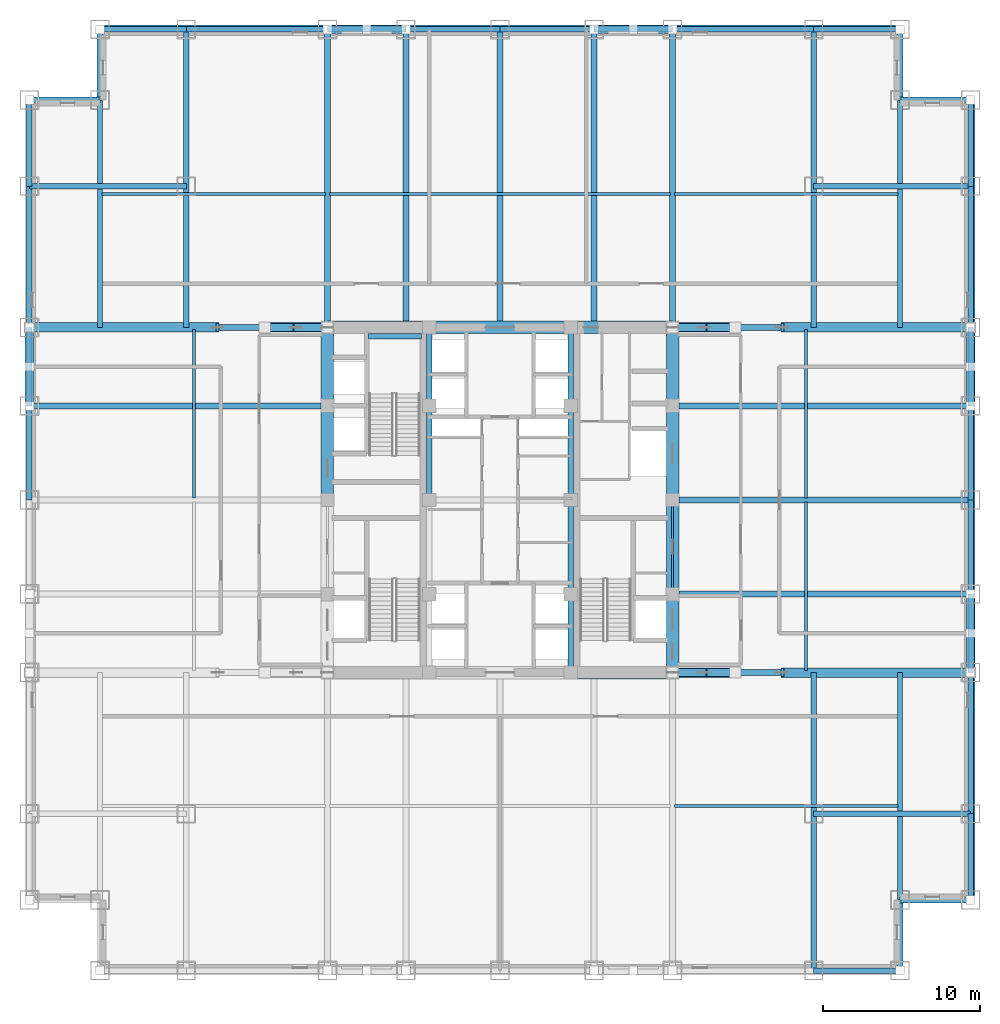
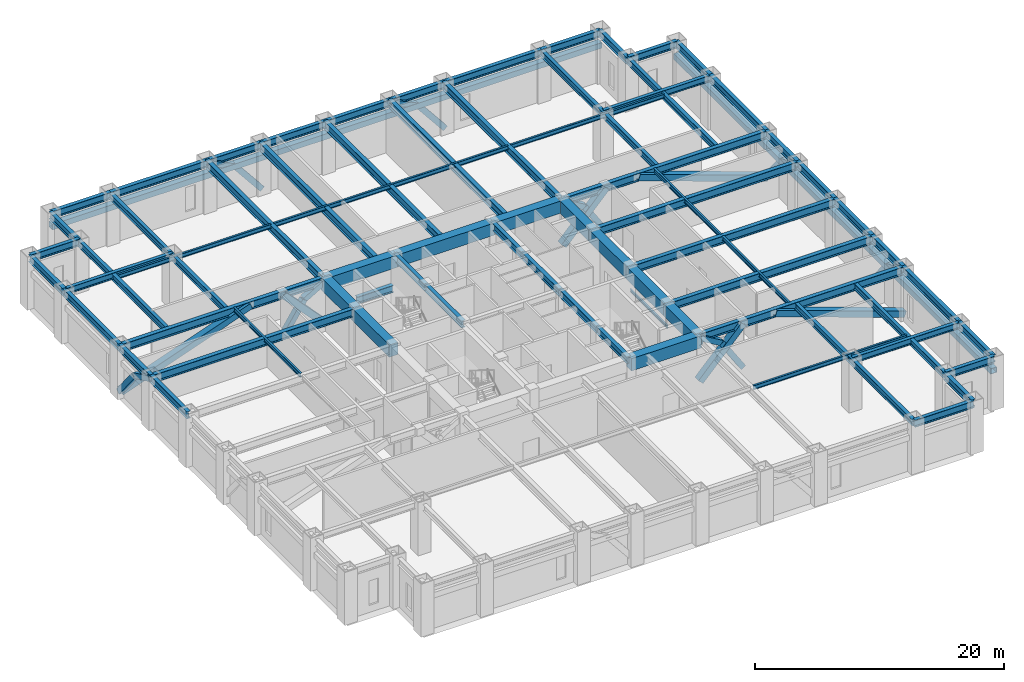
# One storey, part 2 of 12: 73 beams, 24 members.
"""IFC4 building model written with IfcOpenShell, lengths in metres."""

from ifc_helpers import new_model, si_unit, direction, frame, origin, origin_2d, place, context, subcontext, project, spatial, rectangle, hollow_rectangle, i_section, extrude, source, transform, mapped, material, material_profile, profile_set, type_object, element, save


model = new_model("IFC4")

# Units and contexts
model_context = context("Model", 3, precision=1e-05, world=origin(), true_north=direction((0.0, 1.0)))
body_context = subcontext(model_context, "Body", "Model", "MODEL_VIEW")
ifc_project = project(units=[si_unit("LENGTHUNIT", "METRE"), si_unit("AREAUNIT", "SQUARE_METRE"), si_unit("VOLUMEUNIT", "CUBIC_METRE"), si_unit("PLANEANGLEUNIT", "RADIAN"), si_unit("MASSUNIT", "GRAM", prefix="KILO")], contexts=[model_context])

# Site, building, storey
site_placement = place(None, origin())
site = spatial("IfcSite", under=ifc_project, at=site_placement, CompositionType="ELEMENT")
building_placement = place(site_placement, origin())
building = spatial("IfcBuilding", under=site, at=building_placement, Name="Khorayat Bourse Tower", CompositionType="ELEMENT")
storey_placement = place(building_placement, frame((0.0, 0.0, 149.89990234375)))
storey = spatial("IfcBuildingStorey", under=building, at=storey_placement, Name="L34", CompositionType="ELEMENT", Elevation=149.89990234375)

# Beams
ifc_material_1 = material(Name="Concrete C72/90", Category="concrete")
ifc_material_profile_1 = material_profile(ifc_material_1, rectangle(XDim=0.800048828125, YDim=1.199951171875, at=origin_2d()), Name="RC 800x1200")
ifc_profile_set_1 = profile_set([ifc_material_profile_1], Name="Concrete C72/90")
beam_type_1 = type_object("IfcBeamType", Name="BM-COUP-1200", PredefinedType="BEAM", material=ifc_profile_set_1)
shared_shape_1 = source(origin(), body_context, "Body", "SweptSolid", [
    extrude(rectangle(XDim=0.800048828125, YDim=1.199951171875, at=origin_2d()), origin(), (0.0, 0.0, 1.0), 5.0),
])
for number, where, z_axis, x_axis, name in (
    (1, (-11.0, 6.0, 4.380126953125), (0.0, 1.0, 0.0), (-1.0, 0.0, 0.0), "L34 BM-COUP-1200 BM-L34-CRX-04"),
    (2, (11.0, -11.0, 4.380126953125), (0.0, 1.0, 0.0), (-1.0, 0.0, 0.0), "L34 BM-COUP-1200 BM-L34-CRX-13"),
    (3, (11.0, 6.0, 4.380126953125), (0.0, 1.0, 0.0), (-1.0, 0.0, 0.0), "L34 BM-COUP-1200 BM-L34-CRX-16"),
):
    element("IfcBeam", number, at=place(storey_placement, frame(where, z_axis=z_axis, x_axis=x_axis)), inside=storey, type_object=beam_type_1, Name=name, PredefinedType="BEAM", context=body_context, shape_type="MappedRepresentation", body=[
        mapped(shared_shape_1, transform((0.0, 0.0, 0.0), scale=1.0)),
    ])
shared_shape_2 = source(origin(), body_context, "Body", "SweptSolid", [
    extrude(rectangle(XDim=0.800048828125, YDim=1.199951171875, at=origin_2d()), origin(), (0.0, 0.0, 1.0), 6.0),
])
for number, where, z_axis, x_axis, name in (
    (4, (-11.0, 0.0, 4.380126953125), (0.0, 1.0, 0.0), (-1.0, 0.0, 0.0), "L34 BM-COUP-1200 BM-L34-CRX-03"),
    (5, (11.0, -6.0, 4.380126953125), (0.0, 1.0, 0.0), (-1.0, 0.0, 0.0), "L34 BM-COUP-1200 BM-L34-CRX-14"),
    (6, (11.0, 0.0, 4.380126953125), (0.0, 1.0, 0.0), (-1.0, 0.0, 0.0), "L34 BM-COUP-1200 BM-L34-CRX-15"),
):
    element("IfcBeam", number, at=place(storey_placement, frame(where, z_axis=z_axis, x_axis=x_axis)), inside=storey, type_object=beam_type_1, Name=name, PredefinedType="BEAM", context=body_context, shape_type="MappedRepresentation", body=[
        mapped(shared_shape_2, transform((0.0, 0.0, 0.0), scale=1.0)),
    ])
ifc_material_2 = material(Name="Steel ASTM A992 Grade 50", Category="steel")
ifc_material_profile_2 = material_profile(ifc_material_2, i_section(OverallWidth=0.35498046875, OverallDepth=0.695068359375, WebThickness=0.015380859375, FlangeThickness=0.02490234375, FilletRadius=0.01806640625, at=origin_2d()), Name="W690X217")
ifc_profile_set_2 = profile_set([ifc_material_profile_2], Name="Steel ASTM A992 Grade 50")
beam_type_2 = type_object("IfcBeamType", Name="BM-GIRD-690", PredefinedType="BEAM", material=ifc_profile_set_2)
shared_shape_3 = source(origin(), body_context, "Body", "SweptSolid", [
    extrude(i_section(OverallWidth=0.35498046875, OverallDepth=0.695068359375, WebThickness=0.015380859375, FlangeThickness=0.02490234375, FilletRadius=0.01806640625, at=origin_2d()), origin(), (0.0, 0.0, 1.0), 5.0),
])
for number, where, z_axis, x_axis, name in (
    (7, (-4.5, 6.0, 4.632568359375), (0.0, 1.0, 0.0), (-1.0, 0.0, 0.0), "L34 BM-GIRD-690 BM-L34-CRX-08"),
    (8, (4.5, -11.0, 4.632568359375), (0.0, 1.0, 0.0), (-1.0, 0.0, 0.0), "L34 BM-GIRD-690 BM-L34-CRX-09"),
    (9, (4.5, 6.0, 4.632568359375), (0.0, 1.0, 0.0), (-1.0, 0.0, 0.0), "L34 BM-GIRD-690 BM-L34-CRX-12"),
):
    element("IfcBeam", number, at=place(storey_placement, frame(where, z_axis=z_axis, x_axis=x_axis)), inside=storey, type_object=beam_type_2, Name=name, PredefinedType="BEAM", context=body_context, shape_type="MappedRepresentation", body=[
        mapped(shared_shape_3, transform((0.0, 0.0, 0.0), scale=1.0)),
    ])
shared_shape_4 = source(origin(), body_context, "Body", "SweptSolid", [
    extrude(i_section(OverallWidth=0.35498046875, OverallDepth=0.695068359375, WebThickness=0.015380859375, FlangeThickness=0.02490234375, FilletRadius=0.01806640625, at=origin_2d()), origin(), (0.0, 0.0, 1.0), 6.0),
])
for number, where, z_axis, x_axis, name in (
    (10, (-4.5, 0.0, 4.632568359375), (0.0, 1.0, 0.0), (-1.0, 0.0, 0.0), "L34 BM-GIRD-690 BM-L34-CRX-07"),
    (11, (4.5, -6.0, 4.632568359375), (0.0, 1.0, 0.0), (-1.0, 0.0, 0.0), "L34 BM-GIRD-690 BM-L34-CRX-10"),
    (12, (4.5, 0.0, 4.632568359375), (0.0, 1.0, 0.0), (-1.0, 0.0, 0.0), "L34 BM-GIRD-690 BM-L34-CRX-11"),
):
    element("IfcBeam", number, at=place(storey_placement, frame(where, z_axis=z_axis, x_axis=x_axis)), inside=storey, type_object=beam_type_2, Name=name, PredefinedType="BEAM", context=body_context, shape_type="MappedRepresentation", body=[
        mapped(shared_shape_4, transform((0.0, 0.0, 0.0), scale=1.0)),
    ])
shared_shape_5 = source(origin(), body_context, "Body", "SweptSolid", [
    extrude(rectangle(XDim=0.800048828125, YDim=1.199951171875, at=origin_2d()), origin(), (0.0, 0.0, 1.0), 6.5),
])
for number, where, z_axis, x_axis, name in (
    (13, (4.5, -11.0, 4.380126953125), (1.0, 0.0, 0.0), (0.0, 1.0, 0.0), "L34 BM-COUP-1200 BM-L34-CRY-19"),
    (14, (-11.0, 11.0, 4.380126953125), (1.0, 0.0, 0.0), (0.0, 1.0, 0.0), "L34 BM-COUP-1200 BM-L34-CRY-20"),
    (15, (4.5, 11.0, 4.380126953125), (1.0, 0.0, 0.0), (0.0, 1.0, 0.0), "L34 BM-COUP-1200 BM-L34-CRY-22"),
):
    element("IfcBeam", number, at=place(storey_placement, frame(where, z_axis=z_axis, x_axis=x_axis)), inside=storey, type_object=beam_type_1, Name=name, PredefinedType="BEAM", context=body_context, shape_type="MappedRepresentation", body=[
        mapped(shared_shape_5, transform((0.0, 0.0, 0.0), scale=1.0)),
    ])
shared_shape_6 = source(origin(), body_context, "Body", "SweptSolid", [
    extrude(rectangle(XDim=0.800048828125, YDim=1.199951171875, at=origin_2d()), origin(), (0.0, 0.0, 1.0), 9.0),
])
beam_1_placement = place(storey_placement, frame((-4.5, 11.0, 4.380126953125), z_axis=(1.0, 0.0, 0.0), x_axis=(0.0, 1.0, 0.0)))
element("IfcBeam", 16, at=beam_1_placement, inside=storey, type_object=beam_type_1, Name="L34 BM-COUP-1200 BM-L34-CRY-21", PredefinedType="BEAM", context=body_context, shape_type="MappedRepresentation", body=[
    mapped(shared_shape_6, transform((0.0, 0.0, 0.0), scale=1.0)),
])
shared_shape_7 = source(origin(), body_context, "Body", "SweptSolid", [
    extrude(i_section(OverallWidth=0.35498046875, OverallDepth=0.695068359375, WebThickness=0.015380859375, FlangeThickness=0.02490234375, FilletRadius=0.01806640625, at=origin_2d()), origin(), (0.0, 0.0, 1.0), 3.39990234375),
])
beam_2_placement = place(storey_placement, frame((-8.419921875, 10.449951171875, 2.052490234375), z_axis=(1.0, 0.0, 0.0), x_axis=(0.0, 1.0, 0.0)))
element("IfcBeam", 17, at=beam_2_placement, inside=storey, type_object=beam_type_2, Name="L34 BM-GIRD-690 BM-L34-ST2L", PredefinedType="BEAM", context=body_context, shape_type="MappedRepresentation", body=[
    mapped(shared_shape_7, transform((0.0, 0.0, 0.0), scale=1.0)),
])
ifc_material_profile_3 = material_profile(ifc_material_2, i_section(OverallWidth=0.35498046875, OverallDepth=0.695068359375, WebThickness=0.015380859375, FlangeThickness=0.02490234375, FilletRadius=0.01806640625, at=origin_2d()), Name="W690X217")
ifc_profile_set_3 = profile_set([ifc_material_profile_3], Name="Steel ASTM A992 Grade 50")
beam_type_3 = type_object("IfcBeamType", Name="BM-SPAN-690", PredefinedType="SPANDREL", material=ifc_profile_set_3)
shared_shape_8 = source(origin(), body_context, "Body", "SweptSolid", [
    extrude(i_section(OverallWidth=0.35498046875, OverallDepth=0.695068359375, WebThickness=0.015380859375, FlangeThickness=0.02490234375, FilletRadius=0.01806640625, at=origin_2d()), origin(), (0.0, 0.0, 1.0), 9.0),
])
for number, where, z_axis, x_axis, name in (
    (18, (30.0, -20.0, 4.632568359375), (0.0, 1.0, 0.0), (-1.0, 0.0, 0.0), "L34 BM-SPAN-690 BM-L34-SPN-035"),
    (19, (30.0, 11.0, 4.632568359375), (0.0, 1.0, 0.0), (-1.0, 0.0, 0.0), "L34 BM-SPAN-690 BM-L34-SPN-040"),
    (20, (11.0, 30.0, 4.552490234375), (1.0, 0.0, 0.0), (0.0, 1.0, 0.0), "L34 BM-SPAN-690 BM-L34-SPN-045"),
    (21, (-20.0, 30.0, 4.552490234375), (1.0, 0.0, 0.0), (0.0, 1.0, 0.0), "L34 BM-SPAN-690 BM-L34-SPN-050"),
    (22, (-30.0, 11.0, 4.632568359375), (0.0, 1.0, 0.0), (-1.0, 0.0, 0.0), "L34 BM-SPAN-690 BM-L34-SPN-055"),
):
    element("IfcBeam", number, at=place(storey_placement, frame(where, z_axis=z_axis, x_axis=x_axis)), inside=storey, type_object=beam_type_3, Name=name, PredefinedType="SPANDREL", context=body_context, shape_type="MappedRepresentation", body=[
        mapped(shared_shape_8, transform((0.0, 0.0, 0.0), scale=1.0)),
    ])
shared_shape_9 = source(origin(), body_context, "Body", "SweptSolid", [
    extrude(i_section(OverallWidth=0.35498046875, OverallDepth=0.695068359375, WebThickness=0.015380859375, FlangeThickness=0.02490234375, FilletRadius=0.01806640625, at=origin_2d()), origin(), (0.0, 0.0, 1.0), 5.0),
])
for number, where, z_axis, x_axis, name in (
    (23, (30.0, -11.0, 4.632568359375), (0.0, 1.0, 0.0), (-1.0, 0.0, 0.0), "L34 BM-SPAN-690 BM-L34-SPN-036"),
    (24, (30.0, 6.0, 4.632568359375), (0.0, 1.0, 0.0), (-1.0, 0.0, 0.0), "L34 BM-SPAN-690 BM-L34-SPN-039"),
    (25, (6.0, 30.0, 4.552490234375), (1.0, 0.0, 0.0), (0.0, 1.0, 0.0), "L34 BM-SPAN-690 BM-L34-SPN-046"),
    (26, (-11.0, 30.0, 4.552490234375), (1.0, 0.0, 0.0), (0.0, 1.0, 0.0), "L34 BM-SPAN-690 BM-L34-SPN-049"),
    (27, (-30.0, 6.0, 4.632568359375), (0.0, 1.0, 0.0), (-1.0, 0.0, 0.0), "L34 BM-SPAN-690 BM-L34-SPN-056"),
):
    element("IfcBeam", number, at=place(storey_placement, frame(where, z_axis=z_axis, x_axis=x_axis)), inside=storey, type_object=beam_type_3, Name=name, PredefinedType="SPANDREL", context=body_context, shape_type="MappedRepresentation", body=[
        mapped(shared_shape_9, transform((0.0, 0.0, 0.0), scale=1.0)),
    ])
shared_shape_10 = source(origin(), body_context, "Body", "SweptSolid", [
    extrude(i_section(OverallWidth=0.35498046875, OverallDepth=0.695068359375, WebThickness=0.015380859375, FlangeThickness=0.02490234375, FilletRadius=0.01806640625, at=origin_2d()), origin(), (0.0, 0.0, 1.0), 6.0),
])
for number, where, z_axis, x_axis, name in (
    (28, (30.0, -6.0, 4.632568359375), (0.0, 1.0, 0.0), (-1.0, 0.0, 0.0), "L34 BM-SPAN-690 BM-L34-SPN-037"),
    (29, (30.0, 0.0, 4.632568359375), (0.0, 1.0, 0.0), (-1.0, 0.0, 0.0), "L34 BM-SPAN-690 BM-L34-SPN-038"),
    (30, (0.0, 30.0, 4.552490234375), (1.0, 0.0, 0.0), (0.0, 1.0, 0.0), "L34 BM-SPAN-690 BM-L34-SPN-047"),
    (31, (-6.0, 30.0, 4.552490234375), (1.0, 0.0, 0.0), (0.0, 1.0, 0.0), "L34 BM-SPAN-690 BM-L34-SPN-048"),
    (32, (-30.0, 0.0, 4.632568359375), (0.0, 1.0, 0.0), (-1.0, 0.0, 0.0), "L34 BM-SPAN-690 BM-L34-SPN-057"),
):
    element("IfcBeam", number, at=place(storey_placement, frame(where, z_axis=z_axis, x_axis=x_axis)), inside=storey, type_object=beam_type_3, Name=name, PredefinedType="SPANDREL", context=body_context, shape_type="MappedRepresentation", body=[
        mapped(shared_shape_10, transform((0.0, 0.0, 0.0), scale=1.0)),
    ])
ifc_material_profile_4 = material_profile(ifc_material_2, i_section(OverallWidth=0.14697265625, OverallDepth=0.261962890625, WebThickness=0.006591796875, FlangeThickness=0.01123046875, FilletRadius=0.008056640625, at=origin_2d()), Name="W250X39")
ifc_profile_set_4 = profile_set([ifc_material_profile_4], Name="Steel ASTM A992 Grade 50")
beam_type_4 = type_object("IfcBeamType", Name="BM-LINTEL-250", PredefinedType="LINTEL", material=ifc_profile_set_4)
shared_shape_11 = source(origin(), body_context, "Body", "SweptSolid", [
    extrude(i_section(OverallWidth=0.14697265625, OverallDepth=0.261962890625, WebThickness=0.006591796875, FlangeThickness=0.01123046875, FilletRadius=0.008056640625, at=origin_2d()), origin(), (0.0, 0.0, 1.0), 6.0),
])
beam_3_placement = place(storey_placement, frame((11.0, -6.0, 2.550048828125), z_axis=(0.0, 1.0, 0.0), x_axis=(-1.0, 0.0, 0.0)))
element("IfcBeam", 33, at=beam_3_placement, inside=storey, type_object=beam_type_4, Name="L34 Core Opening Lintel 02", PredefinedType="LINTEL", context=body_context, shape_type="MappedRepresentation", body=[
    mapped(shared_shape_11, transform((0.0, 0.0, 0.0), scale=1.0)),
])
shared_shape_12 = source(origin(), body_context, "Body", "SweptSolid", [
    extrude(i_section(OverallWidth=0.35498046875, OverallDepth=0.695068359375, WebThickness=0.015380859375, FlangeThickness=0.02490234375, FilletRadius=0.01806640625, at=origin_2d()), origin(), (0.0, 0.0, 1.0), 5.5),
])
for number, where, z_axis, x_axis, name in (
    (34, (20.0, -30.0, 4.552490234375), (1.0, 0.0, 0.0), (0.0, 1.0, 0.0), "L34 BM-SPAN-690 BM-L34-SPN-031"),
    (35, (30.0, -25.5, 4.632568359375), (0.0, 1.0, 0.0), (-1.0, 0.0, 0.0), "L34 BM-SPAN-690 BM-L34-SPN-034"),
    (36, (30.0, 20.0, 4.632568359375), (0.0, 1.0, 0.0), (-1.0, 0.0, 0.0), "L34 BM-SPAN-690 BM-L34-SPN-041"),
    (37, (20.0, 30.0, 4.552490234375), (1.0, 0.0, 0.0), (0.0, 1.0, 0.0), "L34 BM-SPAN-690 BM-L34-SPN-044"),
    (38, (-25.5, 30.0, 4.552490234375), (1.0, 0.0, 0.0), (0.0, 1.0, 0.0), "L34 BM-SPAN-690 BM-L34-SPN-051"),
    (39, (-30.0, 20.0, 4.632568359375), (0.0, 1.0, 0.0), (-1.0, 0.0, 0.0), "L34 BM-SPAN-690 BM-L34-SPN-054"),
):
    element("IfcBeam", number, at=place(storey_placement, frame(where, z_axis=z_axis, x_axis=x_axis)), inside=storey, type_object=beam_type_3, Name=name, PredefinedType="SPANDREL", context=body_context, shape_type="MappedRepresentation", body=[
        mapped(shared_shape_12, transform((0.0, 0.0, 0.0), scale=1.0)),
    ])
shared_shape_13 = source(origin(), body_context, "Body", "SweptSolid", [
    extrude(i_section(OverallWidth=0.35498046875, OverallDepth=0.695068359375, WebThickness=0.015380859375, FlangeThickness=0.02490234375, FilletRadius=0.01806640625, at=origin_2d()), origin(), (0.0, 0.0, 1.0), 4.5),
])
for number, where, z_axis, x_axis, name in (
    (40, (25.5, -30.0, 4.552490234375), (0.0, 1.0, 0.0), (-1.0, 0.0, 0.0), "L34 BM-SPAN-690 BM-L34-SPN-032"),
    (41, (25.5, -25.5, 4.632568359375), (1.0, 0.0, 0.0), (0.0, 1.0, 0.0), "L34 BM-SPAN-690 BM-L34-SPN-033"),
    (42, (25.5, 25.5, 4.632568359375), (1.0, 0.0, 0.0), (0.0, 1.0, 0.0), "L34 BM-SPAN-690 BM-L34-SPN-042"),
    (43, (25.5, 25.5, 4.552490234375), (0.0, 1.0, 0.0), (-1.0, 0.0, 0.0), "L34 BM-SPAN-690 BM-L34-SPN-043"),
    (44, (-25.5, 25.5, 4.552490234375), (0.0, 1.0, 0.0), (-1.0, 0.0, 0.0), "L34 BM-SPAN-690 BM-L34-SPN-052"),
    (45, (-30.0, 25.5, 4.632568359375), (1.0, 0.0, 0.0), (0.0, 1.0, 0.0), "L34 BM-SPAN-690 BM-L34-SPN-053"),
):
    element("IfcBeam", number, at=place(storey_placement, frame(where, z_axis=z_axis, x_axis=x_axis)), inside=storey, type_object=beam_type_3, Name=name, PredefinedType="SPANDREL", context=body_context, shape_type="MappedRepresentation", body=[
        mapped(shared_shape_13, transform((0.0, 0.0, 0.0), scale=1.0)),
    ])
ifc_material_profile_5 = material_profile(ifc_material_2, i_section(OverallWidth=0.381103515625, OverallDepth=0.77294921875, WebThickness=0.0166015625, FlangeThickness=0.027587890625, FilletRadius=0.01806640625, at=origin_2d()), Name="W760X257")
ifc_profile_set_5 = profile_set([ifc_material_profile_5], Name="Steel ASTM A992 Grade 50")
beam_type_5 = type_object("IfcBeamType", Name="BM-GIRD-760", PredefinedType="BEAM", material=ifc_profile_set_5)
shared_shape_14 = source(origin(), body_context, "Body", "SweptSolid", [
    extrude(i_section(OverallWidth=0.381103515625, OverallDepth=0.77294921875, WebThickness=0.0166015625, FlangeThickness=0.027587890625, FilletRadius=0.01806640625, at=origin_2d()), origin(), (0.0, 0.0, 1.0), 19.0),
])
for number, where, z_axis, x_axis, name in (
    (46, (-11.0, 11.0, 4.513671875), (0.0, 1.0, 0.0), (-1.0, 0.0, 0.0), "L34 BM-GIRD-760 BM-L34-RADY-064"),
    (47, (-6.0, 11.0, 4.513671875), (0.0, 1.0, 0.0), (-1.0, 0.0, 0.0), "L34 BM-GIRD-760 BM-L34-RADY-066"),
    (48, (0.0, 11.0, 4.513671875), (0.0, 1.0, 0.0), (-1.0, 0.0, 0.0), "L34 BM-GIRD-760 BM-L34-RADY-068"),
    (49, (6.0, 11.0, 4.513671875), (0.0, 1.0, 0.0), (-1.0, 0.0, 0.0), "L34 BM-GIRD-760 BM-L34-RADY-070"),
    (50, (11.0, 11.0, 4.513671875), (0.0, 1.0, 0.0), (-1.0, 0.0, 0.0), "L34 BM-GIRD-760 BM-L34-RADY-072"),
    (51, (11.0, -11.0, 4.593505859375), (1.0, 0.0, 0.0), (0.0, 1.0, 0.0), "L34 BM-GIRD-760 BM-L34-RADX-074"),
    (52, (11.0, -6.0, 4.593505859375), (1.0, 0.0, 0.0), (0.0, 1.0, 0.0), "L34 BM-GIRD-760 BM-L34-RADX-076"),
    (53, (11.0, 0.0, 4.593505859375), (1.0, 0.0, 0.0), (0.0, 1.0, 0.0), "L34 BM-GIRD-760 BM-L34-RADX-078"),
    (54, (11.0, 6.0, 4.593505859375), (1.0, 0.0, 0.0), (0.0, 1.0, 0.0), "L34 BM-GIRD-760 BM-L34-RADX-080"),
    (55, (-30.0, 6.0, 4.593505859375), (1.0, 0.0, 0.0), (0.0, 1.0, 0.0), "L34 BM-GIRD-760 BM-L34-RADX-081"),
    (56, (11.0, 11.0, 4.593505859375), (1.0, 0.0, 0.0), (0.0, 1.0, 0.0), "L34 BM-GIRD-760 BM-L34-RADX-082"),
    (57, (-30.0, 11.0, 4.593505859375), (1.0, 0.0, 0.0), (0.0, 1.0, 0.0), "L34 BM-GIRD-760 BM-L34-RADX-083"),
):
    element("IfcBeam", number, at=place(storey_placement, frame(where, z_axis=z_axis, x_axis=x_axis)), inside=storey, type_object=beam_type_5, Name=name, PredefinedType="BEAM", context=body_context, shape_type="MappedRepresentation", body=[
        mapped(shared_shape_14, transform((0.0, 0.0, 0.0), scale=1.0)),
    ])
ifc_material_profile_6 = material_profile(ifc_material_2, i_section(OverallWidth=0.324951171875, OverallDepth=0.615966796875, WebThickness=0.013916015625, FlangeThickness=0.021484375, FilletRadius=0.01611328125, at=origin_2d()), Name="W610X174")
ifc_profile_set_6 = profile_set([ifc_material_profile_6], Name="Steel ASTM A992 Grade 50")
beam_type_6 = type_object("IfcBeamType", Name="BM-GIRD-610", PredefinedType="BEAM", material=ifc_profile_set_6)
shared_shape_15 = source(origin(), body_context, "Body", "SweptSolid", [
    extrude(i_section(OverallWidth=0.324951171875, OverallDepth=0.615966796875, WebThickness=0.013916015625, FlangeThickness=0.021484375, FilletRadius=0.01611328125, at=origin_2d()), origin(), (0.0, 0.0, 1.0), 19.0),
])
for number, where, z_axis, x_axis, name in (
    (58, (-20.0, 11.0, 4.592041015625), (0.0, 1.0, 0.0), (-1.0, 0.0, 0.0), "L34 BM-GIRD-610 BM-L34-CNRY-085"),
    (59, (20.0, -30.0, 4.592041015625), (0.0, 1.0, 0.0), (-1.0, 0.0, 0.0), "L34 BM-GIRD-610 BM-L34-CNRY-086"),
    (60, (20.0, 11.0, 4.592041015625), (0.0, 1.0, 0.0), (-1.0, 0.0, 0.0), "L34 BM-GIRD-610 BM-L34-CNRY-087"),
):
    element("IfcBeam", number, at=place(storey_placement, frame(where, z_axis=z_axis, x_axis=x_axis)), inside=storey, type_object=beam_type_6, Name=name, PredefinedType="BEAM", context=body_context, shape_type="MappedRepresentation", body=[
        mapped(shared_shape_15, transform((0.0, 0.0, 0.0), scale=1.0)),
    ])
shared_shape_16 = source(origin(), body_context, "Body", "SweptSolid", [
    extrude(i_section(OverallWidth=0.324951171875, OverallDepth=0.615966796875, WebThickness=0.013916015625, FlangeThickness=0.021484375, FilletRadius=0.01611328125, at=origin_2d()), origin(), (0.0, 0.0, 1.0), 14.5),
])
for number, where, z_axis, x_axis, name in (
    (61, (-25.5, 11.0, 4.592041015625), (0.0, 1.0, 0.0), (-1.0, 0.0, 0.0), "L34 BM-GIRD-610 BM-L34-CNRY-089"),
    (62, (25.5, -25.5, 4.592041015625), (0.0, 1.0, 0.0), (-1.0, 0.0, 0.0), "L34 BM-GIRD-610 BM-L34-CNRY-090"),
    (63, (25.5, 11.0, 4.592041015625), (0.0, 1.0, 0.0), (-1.0, 0.0, 0.0), "L34 BM-GIRD-610 BM-L34-CNRY-091"),
):
    element("IfcBeam", number, at=place(storey_placement, frame(where, z_axis=z_axis, x_axis=x_axis)), inside=storey, type_object=beam_type_6, Name=name, PredefinedType="BEAM", context=body_context, shape_type="MappedRepresentation", body=[
        mapped(shared_shape_16, transform((0.0, 0.0, 0.0), scale=1.0)),
    ])
shared_shape_17 = source(origin(), body_context, "Body", "SweptSolid", [
    extrude(i_section(OverallWidth=0.324951171875, OverallDepth=0.615966796875, WebThickness=0.013916015625, FlangeThickness=0.021484375, FilletRadius=0.01611328125, at=origin_2d()), origin(), (0.0, 0.0, 1.0), 10.0),
])
for number, where, z_axis, x_axis, name in (
    (64, (20.0, -20.0, 4.672119140625), (1.0, 0.0, 0.0), (0.0, 1.0, 0.0), "L34 BM-GIRD-610 BM-L34-CNRX-092"),
    (65, (20.0, 20.0, 4.672119140625), (1.0, 0.0, 0.0), (0.0, 1.0, 0.0), "L34 BM-GIRD-610 BM-L34-CNRX-094"),
    (66, (-30.0, 20.0, 4.672119140625), (1.0, 0.0, 0.0), (0.0, 1.0, 0.0), "L34 BM-GIRD-610 BM-L34-CNRX-095"),
):
    element("IfcBeam", number, at=place(storey_placement, frame(where, z_axis=z_axis, x_axis=x_axis)), inside=storey, type_object=beam_type_6, Name=name, PredefinedType="BEAM", context=body_context, shape_type="MappedRepresentation", body=[
        mapped(shared_shape_17, transform((0.0, 0.0, 0.0), scale=1.0)),
    ])
ifc_material_profile_7 = material_profile(ifc_material_2, i_section(OverallWidth=0.180908203125, OverallDepth=0.4169921875, WebThickness=0.010986328125, FlangeThickness=0.018310546875, FilletRadius=0.011962890625, at=origin_2d()), Name="W410X85")
ifc_profile_set_7 = profile_set([ifc_material_profile_7], Name="Steel ASTM A992 Grade 50")
beam_type_7 = type_object("IfcBeamType", Name="BM-JOIST-410", PredefinedType="JOIST", material=ifc_profile_set_7)
shared_shape_18 = source(origin(), body_context, "Body", "SweptSolid", [
    extrude(i_section(OverallWidth=0.180908203125, OverallDepth=0.4169921875, WebThickness=0.010986328125, FlangeThickness=0.018310546875, FilletRadius=0.011962890625, at=origin_2d()), origin(), (0.0, 0.0, 1.0), 14.240234375),
])
for number, where, z_axis, x_axis, name in (
    (67, (11.1298828125, -19.5, 4.771484375), (1.0, 0.0, 0.0), (0.0, 1.0, 0.0), "L34 BM-JOIST-410 BM-L34-JSTX-098"),
    (68, (-25.3701171875, 19.5, 4.771484375), (1.0, 0.0, 0.0), (0.0, 1.0, 0.0), "L34 BM-JOIST-410 BM-L34-JSTX-099"),
    (69, (11.1298828125, 19.5, 4.771484375), (1.0, 0.0, 0.0), (0.0, 1.0, 0.0), "L34 BM-JOIST-410 BM-L34-JSTX-101"),
):
    element("IfcBeam", number, at=place(storey_placement, frame(where, z_axis=z_axis, x_axis=x_axis)), inside=storey, type_object=beam_type_7, Name=name, PredefinedType="JOIST", context=body_context, shape_type="MappedRepresentation", body=[
        mapped(shared_shape_18, transform((0.0, 0.0, 0.0), scale=1.0)),
    ])
shared_shape_19 = source(origin(), body_context, "Body", "SweptSolid", [
    extrude(i_section(OverallWidth=0.180908203125, OverallDepth=0.4169921875, WebThickness=0.010986328125, FlangeThickness=0.018310546875, FilletRadius=0.011962890625, at=origin_2d()), origin(), (0.0, 0.0, 1.0), 21.740234375),
])
beam_4_placement = place(storey_placement, frame((-10.8701171875, 19.5, 4.771484375), z_axis=(1.0, 0.0, 0.0), x_axis=(0.0, 1.0, 0.0)))
element("IfcBeam", 70, at=beam_4_placement, inside=storey, type_object=beam_type_7, Name="L34 BM-JOIST-410 BM-L34-JSTX-100", PredefinedType="JOIST", context=body_context, shape_type="MappedRepresentation", body=[
    mapped(shared_shape_19, transform((0.0, 0.0, 0.0), scale=1.0)),
])
shared_shape_20 = source(origin(), body_context, "Body", "SweptSolid", [
    extrude(i_section(OverallWidth=0.180908203125, OverallDepth=0.4169921875, WebThickness=0.010986328125, FlangeThickness=0.018310546875, FilletRadius=0.011962890625, at=origin_2d()), origin(), (0.0, 0.0, 1.0), 10.740234375),
])
for number, where, z_axis, x_axis, name in (
    (71, (-19.5, 0.1298828125, 4.771484375), (0.0, 1.0, 0.0), (-1.0, 0.0, 0.0), "L34 BM-JOIST-410 BM-L34-JSTY-103"),
    (72, (19.5, -10.8701171875, 4.771484375), (0.0, 1.0, 0.0), (-1.0, 0.0, 0.0), "L34 BM-JOIST-410 BM-L34-JSTY-104"),
    (73, (19.5, 0.1298828125, 4.771484375), (0.0, 1.0, 0.0), (-1.0, 0.0, 0.0), "L34 BM-JOIST-410 BM-L34-JSTY-105"),
):
    element("IfcBeam", number, at=place(storey_placement, frame(where, z_axis=z_axis, x_axis=x_axis)), inside=storey, type_object=beam_type_7, Name=name, PredefinedType="JOIST", context=body_context, shape_type="MappedRepresentation", body=[
        mapped(shared_shape_20, transform((0.0, 0.0, 0.0), scale=1.0)),
    ])

# Members
ifc_material_3 = material(Name="Steel EN 10025-4 S460M", Category="steel")
ifc_material_profile_8 = material_profile(ifc_material_3, hollow_rectangle(XDim=0.5, YDim=0.5, WallThickness=0.028076171875, at=origin_2d()), Name="HSS 500x500x28")
ifc_profile_set_8 = profile_set([ifc_material_profile_8], Name="Steel EN 10025-4 S460M")
member_type_1 = type_object("IfcMemberType", Name="MBR-TUBE-500", PredefinedType="BRACE", material=ifc_profile_set_8)
shared_shape_21 = source(origin(), body_context, "Body", "SweptSolid", [
    extrude(hollow_rectangle(XDim=0.5, YDim=0.5, WallThickness=0.028076171875, at=origin_2d()), origin(), (0.0, 0.0, 1.0), 2.764404296875),
])
for number, where, z_axis, x_axis, name in (
    (74, (-11.0, 30.0, 4.630126953125), (0.904335771864, 0.0, -0.426821756389), (0.0, 1.0, 0.0), "L34 Perimeter Tube Brace 05"),
    (75, (6.0, 30.0, 4.630126953125), (0.904335771864, 0.0, -0.426821756389), (0.0, 1.0, 0.0), "L34 Perimeter Tube Brace 07"),
    (76, (-30.0, 6.0, 4.630126953125), (0.0, 0.904335771864, -0.426821756389), (-1.0, 0.0, 0.0), "L34 Perimeter Tube Brace 11"),
    (77, (30.0, -11.0, 4.630126953125), (0.0, 0.904335771864, -0.426821756389), (-1.0, 0.0, 0.0), "L34 Perimeter Tube Brace 13"),
    (78, (30.0, 6.0, 4.630126953125), (0.0, 0.904335771864, -0.426821756389), (-1.0, 0.0, 0.0), "L34 Perimeter Tube Brace 15"),
):
    element("IfcMember", number, at=place(storey_placement, frame(where, z_axis=z_axis, x_axis=x_axis)), inside=storey, type_object=member_type_1, Name=name, PredefinedType="BRACE", context=body_context, shape_type="MappedRepresentation", body=[
        mapped(shared_shape_21, transform((0.0, 0.0, 0.0), scale=1.0)),
    ])
shared_shape_22 = source(origin(), body_context, "Body", "SweptSolid", [
    extrude(hollow_rectangle(XDim=0.5, YDim=0.5, WallThickness=0.028076171875, at=origin_2d()), origin(), (0.0, 0.0, 1.0), 3.982421875),
])
for number, where, z_axis, x_axis, name in (
    (79, (-8.5, 30.0, 3.4501953125), (0.627740468857, 0.0, -0.778422702495), (0.0, 1.0, 0.0), "L34 Perimeter Tube Brace 06"),
    (80, (8.5, 30.0, 3.4501953125), (0.627740468857, 0.0, -0.778422702495), (0.0, 1.0, 0.0), "L34 Perimeter Tube Brace 08"),
    (81, (-30.0, 8.5, 3.4501953125), (0.0, 0.627740468857, -0.778422702495), (-1.0, 0.0, 0.0), "L34 Perimeter Tube Brace 12"),
    (82, (30.0, -8.5, 3.4501953125), (0.0, 0.627740468857, -0.778422702495), (-1.0, 0.0, 0.0), "L34 Perimeter Tube Brace 14"),
    (83, (30.0, 8.5, 3.4501953125), (0.0, 0.627740468857, -0.778422702495), (-1.0, 0.0, 0.0), "L34 Perimeter Tube Brace 16"),
):
    element("IfcMember", number, at=place(storey_placement, frame(where, z_axis=z_axis, x_axis=x_axis)), inside=storey, type_object=member_type_1, Name=name, PredefinedType="BRACE", context=body_context, shape_type="MappedRepresentation", body=[
        mapped(shared_shape_22, transform((0.0, 0.0, 0.0), scale=1.0)),
    ])
ifc_material_profile_9 = material_profile(ifc_material_3, hollow_rectangle(XDim=0.60009765625, YDim=0.60009765625, WallThickness=0.034912109375, at=origin_2d()), Name="BOX 600x600x35")
ifc_profile_set_9 = profile_set([ifc_material_profile_9], Name="Steel EN 10025-4 S460M")
member_type_2 = type_object("IfcMemberType", Name="MBR-OUTRIG-600", PredefinedType="BRACE", material=ifc_profile_set_9)
shared_shape_23 = source(origin(), body_context, "Body", "SweptSolid", [
    extrude(hollow_rectangle(XDim=0.60009765625, YDim=0.60009765625, WallThickness=0.034912109375, at=origin_2d()), origin(), (0.0, 0.0, 1.0), 5.858154296875),
])
for number, where, z_axis, x_axis, name in (
    (84, (-11.0, 11.0, 0.35009765625), (-0.682802163589, 0.0, 0.730603316033), (0.0, -1.0, 0.0), "L34 Outrigger Truss Diagonal 03"),
    (85, (11.0, -11.0, 0.35009765625), (0.682802163589, 0.0, 0.730603316033), (0.0, 1.0, 0.0), "L34 Outrigger Truss Diagonal 05"),
    (86, (11.0, 11.0, 0.35009765625), (0.682802163589, 0.0, 0.730603316033), (0.0, 1.0, 0.0), "L34 Outrigger Truss Diagonal 07"),
):
    element("IfcMember", number, at=place(storey_placement, frame(where, z_axis=z_axis, x_axis=x_axis)), inside=storey, type_object=member_type_2, Name=name, PredefinedType="BRACE", context=body_context, shape_type="MappedRepresentation", body=[
        mapped(shared_shape_23, transform((0.0, 0.0, 0.0), scale=1.0)),
    ])
shared_shape_24 = source(origin(), body_context, "Body", "SweptSolid", [
    extrude(hollow_rectangle(XDim=0.60009765625, YDim=0.60009765625, WallThickness=0.034912109375, at=origin_2d()), origin(), (0.0, 0.0, 1.0), 12.740478515625),
])
for number, where, z_axis, x_axis, name in (
    (87, (-18.0, 11.0, 4.630126953125), (-0.941883163917, 0.0, -0.335940627983), (0.0, -1.0, 0.0), "L34 Outrigger Truss Diagonal 04"),
    (88, (18.0, -11.0, 4.630126953125), (0.941883163917, 0.0, -0.335940627983), (0.0, 1.0, 0.0), "L34 Outrigger Truss Diagonal 06"),
    (89, (18.0, 11.0, 4.630126953125), (0.941883163917, 0.0, -0.335940627983), (0.0, 1.0, 0.0), "L34 Outrigger Truss Diagonal 08"),
):
    element("IfcMember", number, at=place(storey_placement, frame(where, z_axis=z_axis, x_axis=x_axis)), inside=storey, type_object=member_type_2, Name=name, PredefinedType="BRACE", context=body_context, shape_type="MappedRepresentation", body=[
        mapped(shared_shape_24, transform((0.0, 0.0, 0.0), scale=1.0)),
    ])
ifc_material_profile_10 = material_profile(ifc_material_3, hollow_rectangle(XDim=0.5, YDim=0.5, WallThickness=0.028076171875, at=origin_2d()), Name="HSS 500x500x28")
ifc_profile_set_10 = profile_set([ifc_material_profile_10], Name="Steel EN 10025-4 S460M")
member_type_3 = type_object("IfcMemberType", Name="MBR-TRUSS-500", PredefinedType="CHORD", material=ifc_profile_set_10)
shared_shape_25 = source(origin(), body_context, "Body", "SweptSolid", [
    extrude(hollow_rectangle(XDim=0.5, YDim=0.5, WallThickness=0.028076171875, at=origin_2d()), origin(), (0.0, 0.0, 1.0), 2.322021484375),
])
for number, where, z_axis, x_axis, name in (
    (90, (-11.0, 11.0, 4.630126953125), (-0.861282141097, 0.0, -0.508127024893), (0.0, -1.0, 0.0), "L34 Plant Belt Web Diagonal 03"),
    (91, (11.0, -11.0, 4.630126953125), (0.861282141097, 0.0, -0.508127024893), (0.0, 1.0, 0.0), "L34 Plant Belt Web Diagonal 05"),
    (92, (11.0, 11.0, 4.630126953125), (0.861282141097, 0.0, -0.508127024893), (0.0, 1.0, 0.0), "L34 Plant Belt Web Diagonal 07"),
):
    element("IfcMember", number, at=place(storey_placement, frame(where, z_axis=z_axis, x_axis=x_axis)), inside=storey, type_object=member_type_3, Name=name, PredefinedType="CHORD", context=body_context, shape_type="MappedRepresentation", body=[
        mapped(shared_shape_25, transform((0.0, 0.0, 0.0), scale=1.0)),
    ])
shared_shape_26 = source(origin(), body_context, "Body", "SweptSolid", [
    extrude(hollow_rectangle(XDim=0.5, YDim=0.5, WallThickness=0.028076171875, at=origin_2d()), origin(), (0.0, 0.0, 1.0), 3.689208984375),
])
for number, where, z_axis, x_axis, name in (
    (93, (-13.0, 11.0, 3.4501953125), (-0.542114811222, 0.0, -0.840304427844), (0.0, -1.0, 0.0), "L34 Plant Belt Web Diagonal 04"),
    (94, (13.0, -11.0, 3.4501953125), (0.542114811222, 0.0, -0.840304427844), (0.0, 1.0, 0.0), "L34 Plant Belt Web Diagonal 06"),
    (95, (13.0, 11.0, 3.4501953125), (0.542114811222, 0.0, -0.840304427844), (0.0, 1.0, 0.0), "L34 Plant Belt Web Diagonal 08"),
):
    element("IfcMember", number, at=place(storey_placement, frame(where, z_axis=z_axis, x_axis=x_axis)), inside=storey, type_object=member_type_3, Name=name, PredefinedType="CHORD", context=body_context, shape_type="MappedRepresentation", body=[
        mapped(shared_shape_26, transform((0.0, 0.0, 0.0), scale=1.0)),
    ])
ifc_material_profile_11 = material_profile(ifc_material_3, hollow_rectangle(XDim=0.550048828125, YDim=0.550048828125, WallThickness=0.031982421875, at=origin_2d()), Name="HSS 550x550x32")
ifc_profile_set_11 = profile_set([ifc_material_profile_11], Name="Steel EN 10025-4 S460M")
member_type_4 = type_object("IfcMemberType", Name="MBR-BELT-550", PredefinedType="CHORD", material=ifc_profile_set_11)
shared_shape_27 = source(origin(), body_context, "Body", "SweptSolid", [
    extrude(hollow_rectangle(XDim=0.550048828125, YDim=0.550048828125, WallThickness=0.031982421875, at=origin_2d()), origin(), (0.0, 0.0, 1.0), 51.0),
])
for number, where, z_axis, x_axis, name in (
    (96, (-25.5, 30.0, 3.4501953125), (1.0, 0.0, 0.0), (0.0, 1.0, 0.0), "L34 Belt Truss Mid Chord 02"),
    (97, (30.0, -25.5, 3.4501953125), (0.0, 1.0, 0.0), (-1.0, 0.0, 0.0), "L34 Belt Truss Mid Chord 04"),
):
    element("IfcMember", number, at=place(storey_placement, frame(where, z_axis=z_axis, x_axis=x_axis)), inside=storey, type_object=member_type_4, Name=name, PredefinedType="CHORD", context=body_context, shape_type="MappedRepresentation", body=[
        mapped(shared_shape_27, transform((0.0, 0.0, 0.0), scale=1.0)),
    ])

save(model, "model.ifc")
